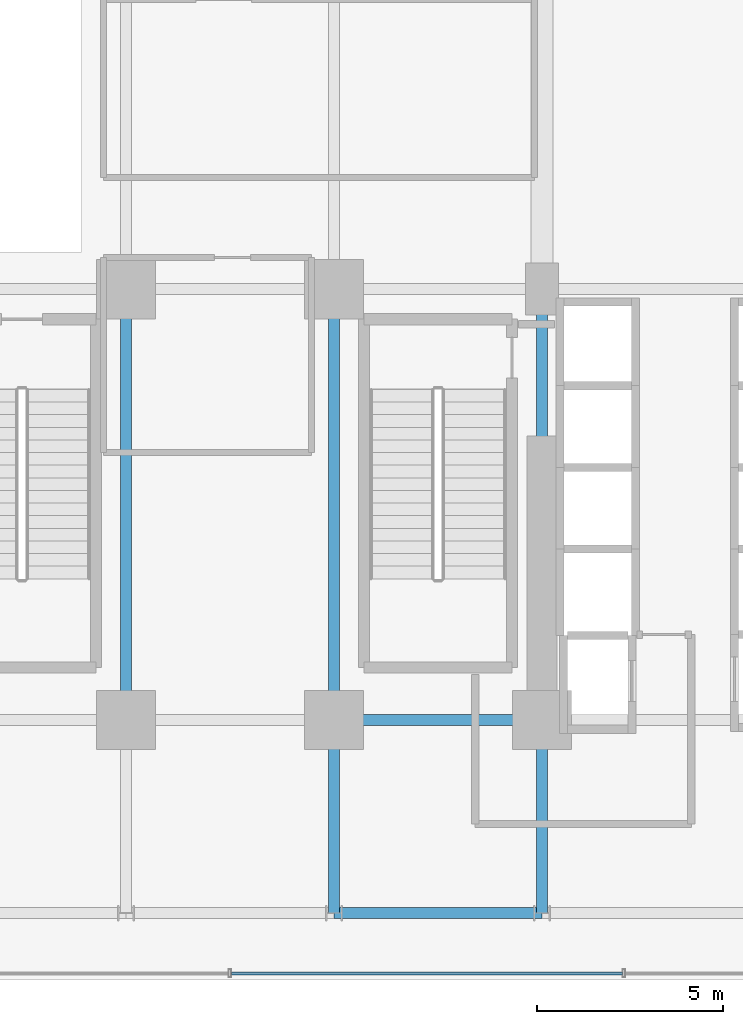
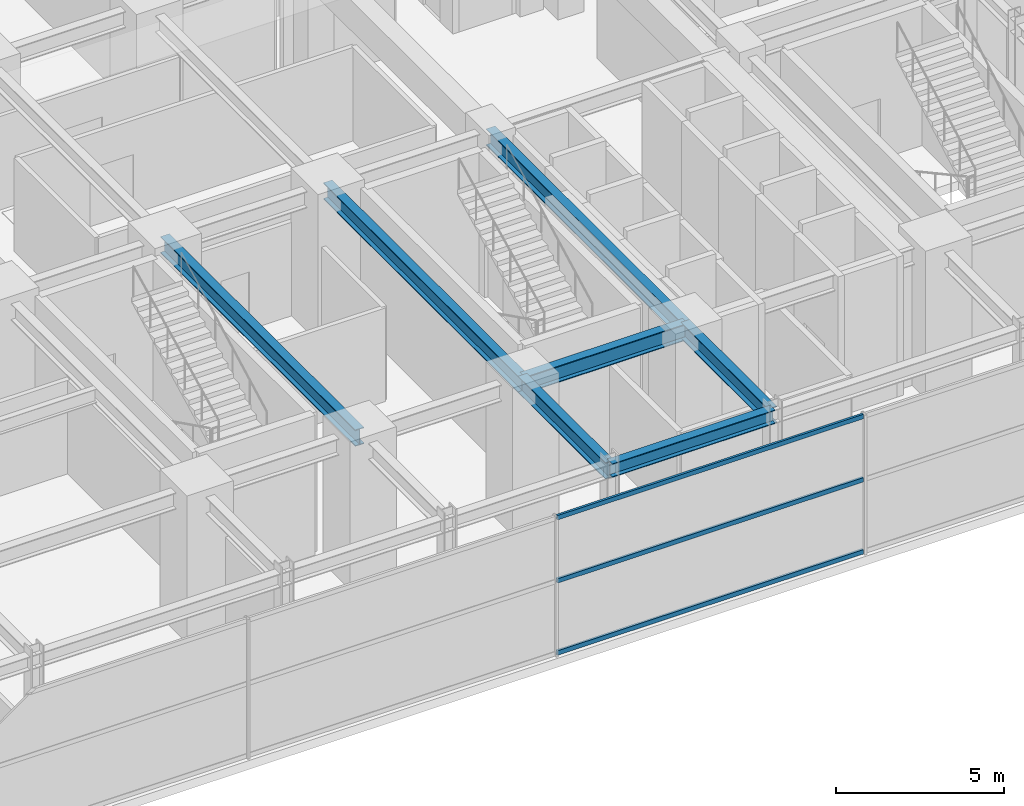
# One storey, part 11 of 32: 7 beams, 3 members, 1 element without a shape of its own.
"""IFC4 building model written with IfcOpenShell, lengths in metres."""

import ifcopenshell
import ifcopenshell.guid

model = None  # the IFC model being written
_history = None  # IfcOwnerHistory: only IFC2X3 demands one
_inside = {}  # id of a spatial element -> (the spatial element, [elements in it])
_under = {}  # id of a project, library or spatial element -> (it, [spatial elements below it])
_declared = {}  # id of a project -> (the project, [libraries it declares])
_typed = {}  # id of a type object -> (the type object, [elements of that type])
_made_of = {}  # id of a material, layer set ... -> (it, [elements and type objects made of it])


def new_model(schema):
    """Start an empty IFC model of exactly this schema.

    Asked for "IFC4X3", IfcOpenShell would pick the latest addendum, in which some entities
    have other attributes; the version numbers below select the first issue.
    IFC2X3 requires an IfcOwnerHistory on every rooted entity: one is made here for all.
    """
    global model, _history
    if schema == "IFC4X3":
        model = ifcopenshell.file(schema_version=(4, 3, 0, 0))
    else:
        model = ifcopenshell.file(schema=schema)
    _inside.clear()
    _under.clear()
    _declared.clear()
    _typed.clear()
    _made_of.clear()
    _history = None
    if model.schema == "IFC2X3":
        org = make("IfcOrganization", Name="unknown")
        user = make(
            "IfcPersonAndOrganization",
            ThePerson=make("IfcPerson", FamilyName="unknown"),
            TheOrganization=org,
        )
        app = make(
            "IfcApplication",
            ApplicationDeveloper=org,
            Version="unknown",
            ApplicationFullName="unknown",
            ApplicationIdentifier="unknown",
        )
        _history = make(
            "IfcOwnerHistory",
            OwningUser=user,
            OwningApplication=app,
            ChangeAction="ADDED",
            CreationDate=0,
        )
    return model


def make(cls, **values):
    """One entity of the class cls with the attributes given. An attribute that is None is left unset."""
    return model.create_entity(
        cls, **{name: value for name, value in values.items() if value is not None}
    )


def rooted(cls, **values):
    """An entity with a GlobalId (a new one), such as an element, a storey or a relation."""
    return make(cls, GlobalId=ifcopenshell.guid.new(), OwnerHistory=_history, **values)


def si_unit(unit_type, name, prefix=None):
    """IfcSIUnit, for example si_unit("LENGTHUNIT", "METRE", prefix="MILLI")."""
    return make("IfcSIUnit", UnitType=unit_type, Prefix=prefix, Name=name)


def assignment(units):
    """IfcUnitAssignment: the units of a project."""
    return None if units is None else make("IfcUnitAssignment", Units=units)


def point(xyz):
    """IfcCartesianPoint."""
    return None if xyz is None else make("IfcCartesianPoint", Coordinates=xyz)


def direction(xyz):
    """IfcDirection."""
    return None if xyz is None else make("IfcDirection", DirectionRatios=xyz)


def frame(location, z_axis=None, x_axis=None):
    """IfcAxis2Placement3D, a coordinate frame: its origin and axes. An axis left out is left unset."""
    return make(
        "IfcAxis2Placement3D",
        Location=point(location),
        Axis=direction(z_axis),
        RefDirection=direction(x_axis),
    )


def frame_2d(location, x_axis=None):
    """IfcAxis2Placement2D, a coordinate frame in the plane: its origin and x axis."""
    return make(
        "IfcAxis2Placement2D", Location=point(location), RefDirection=direction(x_axis)
    )


def origin():
    """The frame at (0, 0, 0) with its axes left unset."""
    return frame((0.0, 0.0, 0.0))


def origin_2d():
    """The frame at (0, 0) in the plane with its x axis left unset."""
    return frame_2d((0.0, 0.0))


def place(relative_to, where):
    """IfcLocalPlacement: puts the frame where relative to a parent placement (None: the world)."""
    return make(
        "IfcLocalPlacement", PlacementRelTo=relative_to, RelativePlacement=where
    )


def context(
    kind, dimensions, precision=None, world=None, true_north=None, identifier=None
):
    """IfcGeometricRepresentationContext, for example the 3D "Model" context."""
    return make(
        "IfcGeometricRepresentationContext",
        ContextIdentifier=identifier,
        ContextType=kind,
        CoordinateSpaceDimension=dimensions,
        Precision=precision,
        WorldCoordinateSystem=world,
        TrueNorth=true_north,
    )


def subcontext(parent, identifier, kind, view, scale=None):
    """IfcGeometricRepresentationSubContext, for example "Body" below "Model"."""
    return make(
        "IfcGeometricRepresentationSubContext",
        ContextIdentifier=identifier,
        ContextType=kind,
        ParentContext=parent,
        TargetScale=scale,
        TargetView=view,
    )


def project(units=None, contexts=None):
    """IfcProject with its units and contexts."""
    return rooted(
        "IfcProject",
        Name="project",
        RepresentationContexts=contexts,
        UnitsInContext=assignment(units),
    )


def spatial(cls, under=None, at=None, **own):
    """A site, building, storey or space (cls), placed at a placement, below another one or the project."""
    s = rooted(cls, ObjectPlacement=at, **own)
    if under is not None:
        _under.setdefault(under.id(), (under, []))[1].append(s)
    return s


def profile(cls, at=None, kind="AREA", **sizes):
    """A parametric profile (cls). Its sizes go by their IFC names, for example OverallWidth=200.0."""
    return make(cls, ProfileType=kind, Position=at, **sizes)


def hollow_rectangle(**sizes):
    """IfcRectangleHollowProfileDef."""
    return profile("IfcRectangleHollowProfileDef", **sizes)


def i_section(**sizes):
    """IfcIShapeProfileDef."""
    return profile("IfcIShapeProfileDef", **sizes)


def extrude(swept, where, along, depth):
    """IfcExtrudedAreaSolid: the profile swept, set in the frame where, extruded along a direction by depth."""
    return make(
        "IfcExtrudedAreaSolid",
        SweptArea=swept,
        Position=where,
        ExtrudedDirection=direction(along),
        Depth=depth,
    )


def shape(context_of_items, identifier, shape_type, items):
    """IfcShapeRepresentation: the items that make up one representation, for example the "Body"."""
    return make(
        "IfcShapeRepresentation",
        ContextOfItems=context_of_items,
        RepresentationIdentifier=identifier,
        RepresentationType=shape_type,
        Items=items,
    )


def source(mapping_origin, context_of_items, identifier, shape_type, items):
    """IfcRepresentationMap: a shape defined once, which mapped items show again and again."""
    return make(
        "IfcRepresentationMap",
        MappingOrigin=mapping_origin,
        MappedRepresentation=shape(context_of_items, identifier, shape_type, items),
    )


def transform(
    local_origin,
    x_axis=None,
    y_axis=None,
    z_axis=None,
    scale=None,
    scale2=None,
    scale3=None,
    uniform=True,
):
    """IfcCartesianTransformationOperator3D, or its non-uniform kind. x_axis, y_axis, z_axis: its Axis1, 2, 3."""
    if uniform:
        return make(
            "IfcCartesianTransformationOperator3D",
            Axis1=direction(x_axis),
            Axis2=direction(y_axis),
            LocalOrigin=point(local_origin),
            Scale=scale,
            Axis3=direction(z_axis),
        )
    return make(
        "IfcCartesianTransformationOperator3DnonUniform",
        Axis1=direction(x_axis),
        Axis2=direction(y_axis),
        LocalOrigin=point(local_origin),
        Scale=scale,
        Axis3=direction(z_axis),
        Scale2=scale2,
        Scale3=scale3,
    )


def mapped(mapping_source, mapping_target):
    """IfcMappedItem: shows the shape of a source again, moved by a transform."""
    return make(
        "IfcMappedItem", MappingSource=mapping_source, MappingTarget=mapping_target
    )


def material(Name=None, Category=None):
    """IfcMaterial."""
    return make("IfcMaterial", Name=Name, Category=Category)


def material_profile(
    of_material, cross_section, Name=None, Category=None, Priority=None
):
    """IfcMaterialProfile: a cross section and its material."""
    return make(
        "IfcMaterialProfile",
        Name=Name,
        Material=of_material,
        Profile=cross_section,
        Priority=Priority,
        Category=Category,
    )


def profile_set(profiles, Name=None, composite=None):
    """IfcMaterialProfileSet."""
    return make(
        "IfcMaterialProfileSet",
        Name=Name,
        MaterialProfiles=profiles,
        CompositeProfile=composite,
    )


def made_of(thing, what):
    """Note that an element or type object is made of a material, layer set ...; save() writes the relation."""
    if what is not None:
        _made_of.setdefault(what.id(), (what, []))[1].append(thing)
    return thing


def type_object(cls, material=None, **own):
    """A type object (cls), such as IfcWallType, which elements share."""
    return made_of(rooted(cls, **own), material)


def element(
    cls,
    number,
    at=None,
    inside=None,
    cuts=None,
    type_object=None,
    material=None,
    context=None,
    identifier="Body",
    shape_type=None,
    held_by="IfcProductDefinitionShape",
    body=None,
    shapes=None,
    **own,
):
    """One element of the class cls, such as IfcWall. Its Tag is "e" and its number.

    at: its placement. inside: the storey or other place that contains it. cuts: it is an
    opening in that element (IfcRelVoidsElement). A single representation is given by context,
    identifier, shape_type and body (its items); several are given by shapes. held_by: the class
    of the entity that holds the representations. save() writes the other relations.
    """
    e = rooted(cls, Tag="e%d" % number, ObjectPlacement=at, **own)
    if body is not None:
        shapes = [shape(context, identifier, shape_type, body)]
    if shapes is not None:
        e.Representation = make(held_by, Representations=shapes)
    if inside is not None:
        _inside.setdefault(inside.id(), (inside, []))[1].append(e)
    if cuts is not None:
        rooted(
            "IfcRelVoidsElement", RelatingBuildingElement=cuts, RelatedOpeningElement=e
        )
    if type_object is not None:
        _typed.setdefault(type_object.id(), (type_object, []))[1].append(e)
    return made_of(e, material)


def aggregate(whole, parts):
    """IfcRelAggregates: a whole, such as a stair, and the parts it consists of."""
    return rooted("IfcRelAggregates", RelatingObject=whole, RelatedObjects=parts)


def save(model, path):
    """Write the relations noted so far, then the file.

    IfcRelAggregates (storeys below a building ...), IfcRelContainedInSpatialStructure (elements
    in a storey), IfcRelDefinesByType, IfcRelAssociatesMaterial and IfcRelDeclares: one each for
    every whole, place, type object, material and project.
    """
    for whole, parts in _under.values():
        aggregate(whole, parts)
    for where, things in _inside.values():
        rooted(
            "IfcRelContainedInSpatialStructure",
            RelatedElements=things,
            RelatingStructure=where,
        )
    for kind, things in _typed.values():
        rooted("IfcRelDefinesByType", RelatedObjects=things, RelatingType=kind)
    for what, things in _made_of.values():
        rooted("IfcRelAssociatesMaterial", RelatedObjects=things, RelatingMaterial=what)
    for by, libraries in _declared.values():
        rooted("IfcRelDeclares", RelatingContext=by, RelatedDefinitions=libraries)
    model.write(path)


model = new_model("IFC4")

# Units and contexts
model_context = context("Model", 3, precision=1e-05, world=origin(), true_north=direction((0.0, 1.0)))
body_context = subcontext(model_context, "Body", "Model", "MODEL_VIEW")
ifc_project = project(units=[si_unit("LENGTHUNIT", "METRE"), si_unit("AREAUNIT", "SQUARE_METRE"), si_unit("VOLUMEUNIT", "CUBIC_METRE"), si_unit("PLANEANGLEUNIT", "RADIAN"), si_unit("MASSUNIT", "GRAM", prefix="KILO")], contexts=[model_context])

# Site, building, storey
site_placement = place(None, origin())
site = spatial("IfcSite", under=ifc_project, at=site_placement, CompositionType="ELEMENT")
building_placement = place(site_placement, origin())
building = spatial("IfcBuilding", under=site, at=building_placement, Name="Nahalor Promenade Grand Hotel", CompositionType="ELEMENT")
storey_placement = place(building_placement, frame((0.0, 0.0, 5.39990234375)))
storey = spatial("IfcBuildingStorey", under=building, at=storey_placement, Name="L01", CompositionType="ELEMENT", Elevation=5.39990234375)

# Beams
ifc_material_1 = material(Name="Steel S355JR", Category="steel")
ifc_material_profile_1 = material_profile(ifc_material_1, i_section(OverallWidth=0.3, OverallDepth=0.6, WebThickness=0.0155, FlangeThickness=0.03, at=origin_2d()), Name="HEB 600")
ifc_profile_set_1 = profile_set([ifc_material_profile_1], Name="Steel S355JR")
beam_type_1 = type_object("IfcBeamType", Name="Beam-Girder-HEB600", PredefinedType="BEAM", material=ifc_profile_set_1)
shared_shape_1 = source(origin(), body_context, "Body", "SweptSolid", [
    extrude(i_section(OverallWidth=0.3, OverallDepth=0.6, WebThickness=0.0155, FlangeThickness=0.03, at=origin_2d()), origin(), (0.0, 0.0, 1.0), 5.599853515625),
])
beam_1_placement = place(storey_placement, frame((2.800048828125, -17.0, 4.780029296875), z_axis=(1.0, 0.0, 0.0), x_axis=(0.0, 1.0, 0.0)))
element("IfcBeam", 1, at=beam_1_placement, inside=storey, type_object=beam_type_1, Name="BM-L01-GX-0-5", PredefinedType="BEAM", context=body_context, shape_type="MappedRepresentation", body=[
    mapped(shared_shape_1, transform((0.0, 0.0, 0.0), scale=1.0)),
])
shared_shape_2 = source(origin(), body_context, "Body", "SweptSolid", [
    extrude(i_section(OverallWidth=0.3, OverallDepth=0.6, WebThickness=0.0155, FlangeThickness=0.03, at=origin_2d()), origin(), (0.0, 0.0, 1.0), 5.199951171875),
])
for number, where, z_axis, x_axis, name in (
    (2, (2.800048828125, -22.199951171875, 4.780029296875), (0.0, 1.0, 0.0), (-1.0, 0.0, 0.0), "BM-L01-GY-3-0"),
    (3, (8.39990234375, -22.199951171875, 4.780029296875), (0.0, 1.0, 0.0), (-1.0, 0.0, 0.0), "BM-L01-GY-4-0"),
):
    element("IfcBeam", number, at=place(storey_placement, frame(where, z_axis=z_axis, x_axis=x_axis)), inside=storey, type_object=beam_type_1, Name=name, PredefinedType="BEAM", context=body_context, shape_type="MappedRepresentation", body=[
        mapped(shared_shape_2, transform((0.0, 0.0, 0.0), scale=1.0)),
    ])
shared_shape_3 = source(origin(), body_context, "Body", "SweptSolid", [
    extrude(i_section(OverallWidth=0.3, OverallDepth=0.6, WebThickness=0.0155, FlangeThickness=0.03, at=origin_2d()), origin(), (0.0, 0.0, 1.0), 11.60009765625),
])
for number, where, z_axis, x_axis, name in (
    (4, (-2.800048828125, -17.0, 4.780029296875), (0.0, 1.0, 0.0), (-1.0, 0.0, 0.0), "BM-L01-GY-2-1"),
    (5, (2.800048828125, -17.0, 4.780029296875), (0.0, 1.0, 0.0), (-1.0, 0.0, 0.0), "BM-L01-GY-3-1"),
    (6, (8.39990234375, -17.0, 4.780029296875), (0.0, 1.0, 0.0), (-1.0, 0.0, 0.0), "BM-L01-GY-4-1"),
):
    element("IfcBeam", number, at=place(storey_placement, frame(where, z_axis=z_axis, x_axis=x_axis)), inside=storey, type_object=beam_type_1, Name=name, PredefinedType="BEAM", context=body_context, shape_type="MappedRepresentation", body=[
        mapped(shared_shape_3, transform((0.0, 0.0, 0.0), scale=1.0)),
    ])
ifc_material_profile_2 = material_profile(ifc_material_1, i_section(OverallWidth=0.3, OverallDepth=0.5, WebThickness=0.0145, FlangeThickness=0.028, at=origin_2d()), Name="HEB 500")
ifc_profile_set_2 = profile_set([ifc_material_profile_2], Name="Steel S355JR")
beam_type_2 = type_object("IfcBeamType", Name="Beam-Spandrel-HEB500", PredefinedType="SPANDREL", material=ifc_profile_set_2)
shared_shape_4 = source(origin(), body_context, "Body", "SweptSolid", [
    extrude(i_section(OverallWidth=0.3, OverallDepth=0.5, WebThickness=0.0145, FlangeThickness=0.028, at=origin_2d()), origin(), (0.0, 0.0, 1.0), 5.599853515625),
])
beam_2_placement = place(storey_placement, frame((2.800048828125, -22.199951171875, 4.830078125), z_axis=(1.0, 0.0, 0.0), x_axis=(0.0, 1.0, 0.0)))
element("IfcBeam", 7, at=beam_2_placement, inside=storey, type_object=beam_type_2, Name="BM-L01-SP-S-3", PredefinedType="SPANDREL", context=body_context, shape_type="MappedRepresentation", body=[
    mapped(shared_shape_4, transform((0.0, 0.0, 0.0), scale=1.0)),
])

# Curtain wall, members
ifc_material_2 = material(Name="Anodised Bronze Aluminium EN AW-6063 T6", Category="aluminium")
curtain_wall_type = type_object("IfcCurtainWallType", Name="CW1 Waterfront Podium Bronze Arcade Curtain Wall", PredefinedType="USERDEFINED", material=ifc_material_2)
curtain_wall_placement = place(storey_placement, origin())
curtain_wall = element("IfcCurtainWall", 8, at=curtain_wall_placement, inside=storey, type_object=curtain_wall_type, Name="L01 Curtain Wall CW-L01-S", ObjectType="UNITISED_CURTAIN_WALL", PredefinedType="USERDEFINED")
ifc_material_profile_3 = material_profile(ifc_material_2, hollow_rectangle(XDim=0.08, YDim=0.16, WallThickness=0.004, at=origin_2d()), Name="CWT 80x160x4")
ifc_profile_set_3 = profile_set([ifc_material_profile_3], Name="Anodised Bronze Aluminium EN AW-6063 T6")
member_type = type_object("IfcMemberType", Name="CWT1 Podium Bronze Transom 80x160", PredefinedType="USERDEFINED", material=ifc_profile_set_3)
shared_shape_5 = source(origin(), body_context, "Body", "SweptSolid", [
    extrude(hollow_rectangle(XDim=0.08, YDim=0.16, WallThickness=0.004, at=origin_2d()), origin(), (0.0, 0.0, 1.0), 10.526611328125),
])
member_1_placement = place(storey_placement, frame((0.0400390625, -23.820068359375, 0.080078125), z_axis=(1.0, 0.0, 0.0), x_axis=(0.0, 1.0, 0.0)))
member_1 = element("IfcMember", 9, at=member_1_placement, type_object=member_type, Name="CW-L01-S Transom 3-0", ObjectType="TRANSOM", PredefinedType="USERDEFINED", context=body_context, shape_type="MappedRepresentation", body=[
    mapped(shared_shape_5, transform((0.0, 0.0, 0.0), scale=1.0)),
])
member_2_placement = place(storey_placement, frame((0.0400390625, -23.820068359375, 2.7001953125), z_axis=(1.0, 0.0, 0.0), x_axis=(0.0, 1.0, 0.0)))
member_2 = element("IfcMember", 10, at=member_2_placement, type_object=member_type, Name="CW-L01-S Transom 3-1", ObjectType="TRANSOM", PredefinedType="USERDEFINED", context=body_context, shape_type="MappedRepresentation", body=[
    mapped(shared_shape_5, transform((0.0, 0.0, 0.0), scale=1.0)),
])
member_3_placement = place(storey_placement, frame((0.0400390625, -23.820068359375, 5.0), z_axis=(1.0, 0.0, 0.0), x_axis=(0.0, 1.0, 0.0)))
member_3 = element("IfcMember", 11, at=member_3_placement, type_object=member_type, Name="CW-L01-S Transom 3-2", ObjectType="TRANSOM", PredefinedType="USERDEFINED", context=body_context, shape_type="MappedRepresentation", body=[
    mapped(shared_shape_5, transform((0.0, 0.0, 0.0), scale=1.0)),
])
aggregate(curtain_wall, [member_1, member_2, member_3])

save(model, "model.ifc")
